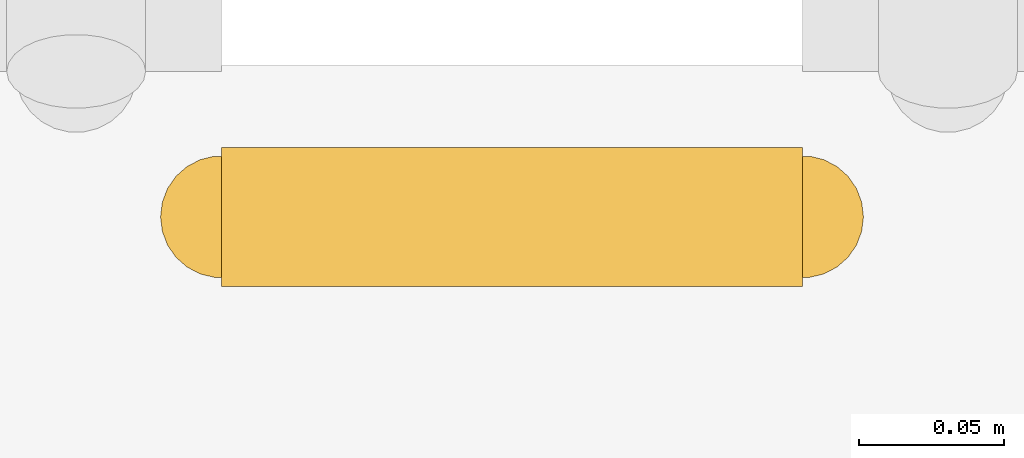
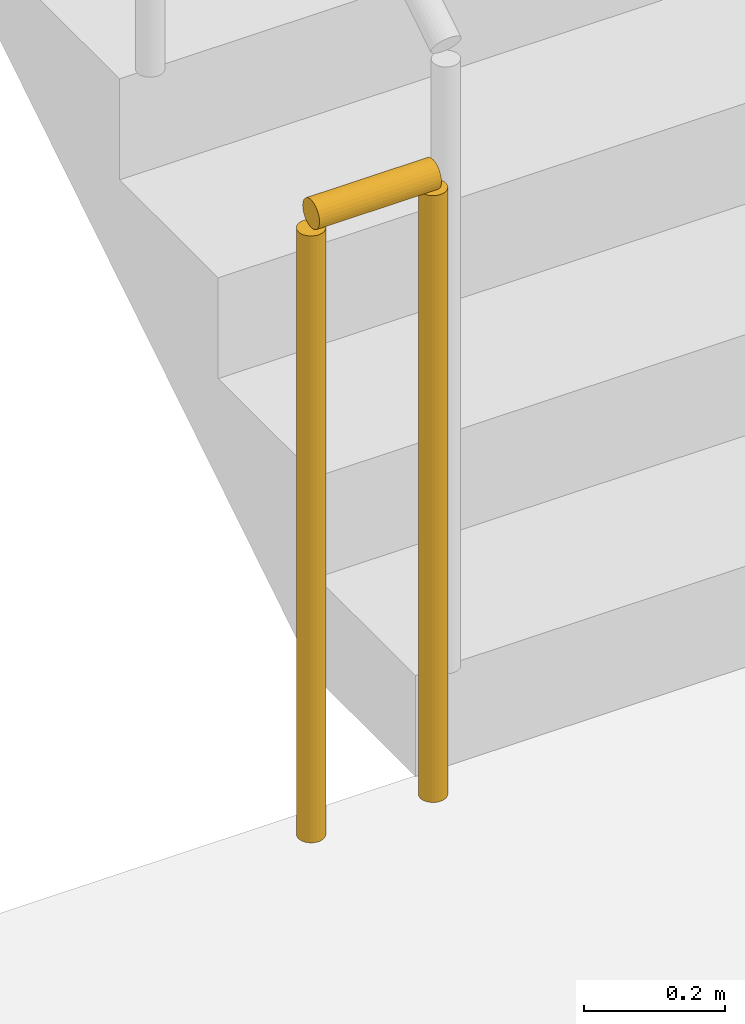
# One storey, part 11 of 22: 1 railing.
"""IFC4 building model written with IfcOpenShell, lengths in metres."""

from ifc_helpers import new_model, si_unit, direction, frame, origin, origin_2d, place, context, subcontext, project, spatial, circle, extrude, material, type_object, element, save


model = new_model("IFC4")

# Units and contexts
model_context = context("Model", 3, precision=1e-05, world=origin(), true_north=direction((0.0, 1.0)))
body_context = subcontext(model_context, "Body", "Model", "MODEL_VIEW")
ifc_project = project(units=[si_unit("LENGTHUNIT", "METRE"), si_unit("AREAUNIT", "SQUARE_METRE"), si_unit("VOLUMEUNIT", "CUBIC_METRE"), si_unit("PLANEANGLEUNIT", "RADIAN"), si_unit("MASSUNIT", "GRAM", prefix="KILO")], contexts=[model_context])

# Site, building, storey
site_placement = place(None, origin())
site = spatial("IfcSite", under=ifc_project, at=site_placement, CompositionType="ELEMENT")
building_placement = place(site_placement, origin())
building = spatial("IfcBuilding", under=site, at=building_placement, Name="Kiln Ring Residences", CompositionType="ELEMENT")
storey_placement = place(building_placement, frame((0.0, 0.0, 58.5)))
storey = spatial("IfcBuildingStorey", under=building, at=storey_placement, Name="L14", CompositionType="ELEMENT", Elevation=58.5)

# Railing
ifc_material = material(Name="Stainless steel", Category="steel")
railing_type = type_object("IfcRailingType", Name="CORE-STAIR-GUARD", PredefinedType="GUARDRAIL", material=ifc_material)
railing_placement = place(storey_placement, frame((-22.0, -8.449951171875, 0.0)))
element("IfcRailing", 1, at=railing_placement, inside=storey, type_object=railing_type, Name="L14 W-STS stair guard 4", PredefinedType="GUARDRAIL", context=body_context, shape_type="SweptSolid", body=[
    extrude(circle(Radius=0.02392578125, at=origin_2d()), frame((0.0, 0.0, 1.076171875), z_axis=(-1.0, 0.0, 0.0), x_axis=(0.0, -1.0, 0.0)), (0.0, 0.0, 1.0), 0.199951171875),
    extrude(circle(Radius=0.02099609375, at=origin_2d()), origin(), (0.0, 0.0, 1.0), 1.052001953125),
    extrude(circle(Radius=0.02099609375, at=origin_2d()), frame((-0.199951171875, 0.0, 0.0)), (0.0, 0.0, 1.0), 1.052001953125),
])

save(model, "model.ifc")
